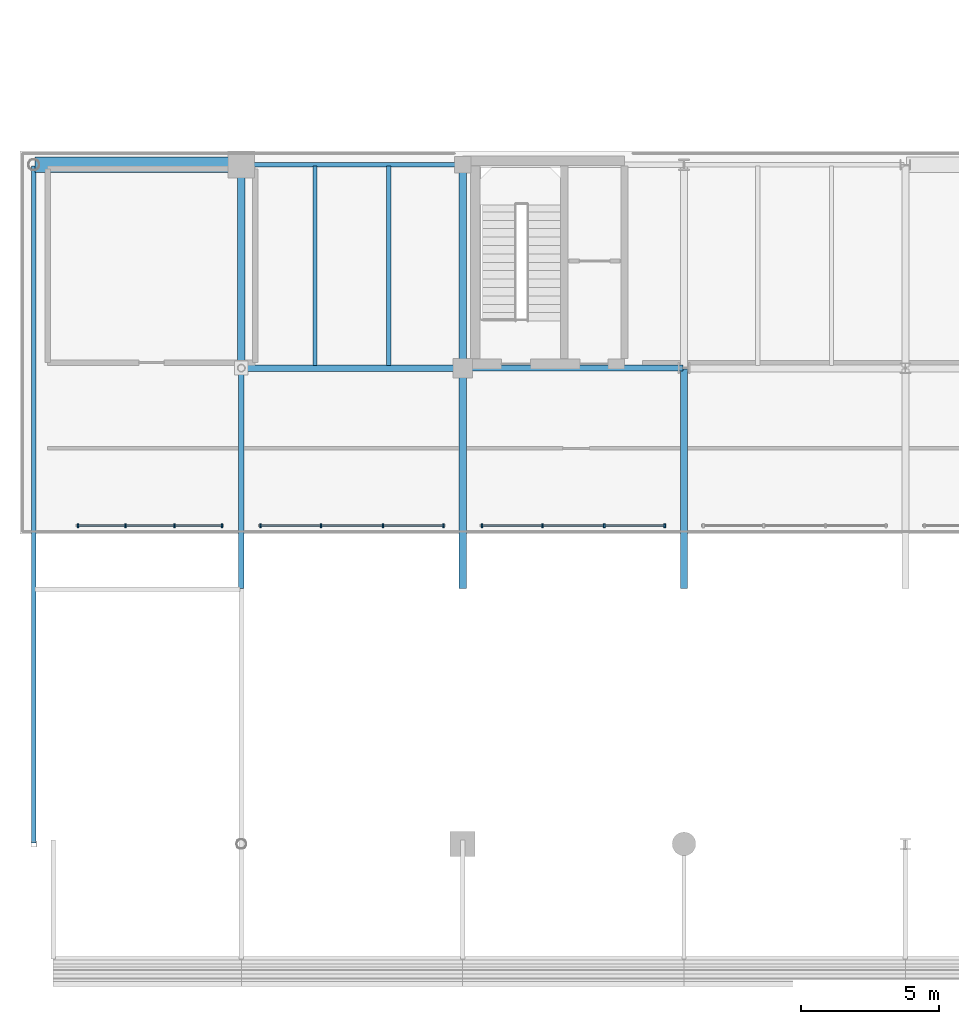
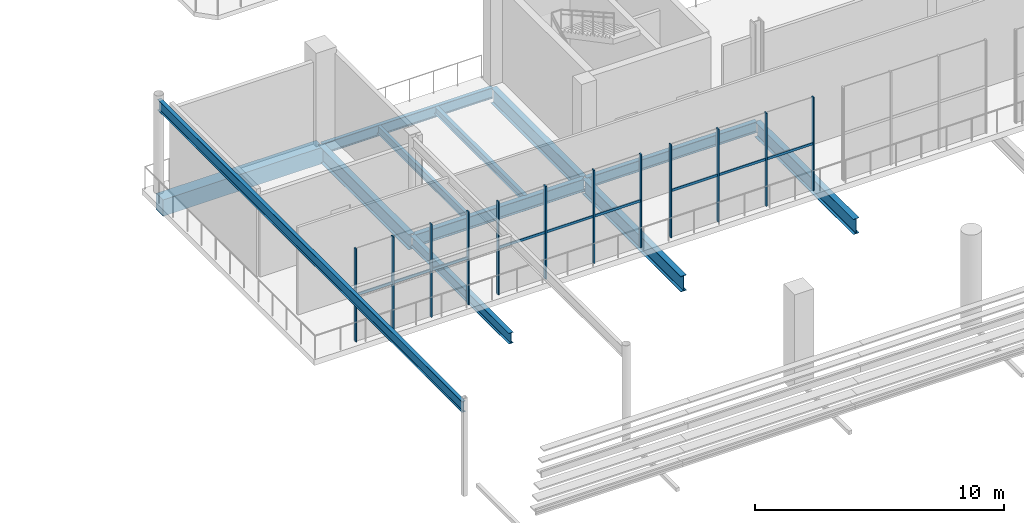
# One storey, part 21 of 70: 21 members, 12 beams, 3 elements without a shape of their own.
"""IFC4 building model written with IfcOpenShell, lengths in metres."""

from ifc_helpers import new_model, si_unit, direction, frame, origin, origin_2d, place, context, subcontext, project, spatial, rectangle, i_section, extrude, material, material_profile, profile_set, type_object, element, aggregate, save


model = new_model("IFC4")

# Units and contexts
model_context = context("Model", 3, precision=1e-05, world=origin(), true_north=direction((0.0, 1.0)))
body_context = subcontext(model_context, "Body", "Model", "MODEL_VIEW")
ifc_project = project(units=[si_unit("LENGTHUNIT", "METRE"), si_unit("AREAUNIT", "SQUARE_METRE"), si_unit("VOLUMEUNIT", "CUBIC_METRE"), si_unit("PLANEANGLEUNIT", "RADIAN"), si_unit("MASSUNIT", "GRAM", prefix="KILO")], contexts=[model_context])

# Site, building, storey
site_placement = place(None, origin())
site = spatial("IfcSite", under=ifc_project, at=site_placement, CompositionType="ELEMENT")
building_placement = place(site_placement, origin())
building = spatial("IfcBuilding", under=site, at=building_placement, Name="Brisemont Oceanarium", CompositionType="ELEMENT")
storey_placement = place(building_placement, frame((0.0, 0.0, 10.199951171875)))
storey = spatial("IfcBuildingStorey", under=building, at=storey_placement, Name="L02", CompositionType="ELEMENT", Elevation=10.199951171875)

# Beams
ifc_material_1 = material(Name="Concrete C40/50", Category="concrete")
ifc_material_profile_1 = material_profile(ifc_material_1, rectangle(XDim=0.550048828125, YDim=0.800048828125, at=origin_2d()), Name="RC-BM-550X800")
ifc_profile_set_1 = profile_set([ifc_material_profile_1], Name="Concrete C40/50")
beam_type_1 = type_object("IfcBeamType", Name="BM-RC550X800", PredefinedType="SPANDREL", material=ifc_profile_set_1)
beam_1_placement = place(storey_placement, frame((8.5400390625, 31.35009765625, -0.679931640625), z_axis=(1.0, 0.0, 0.0), x_axis=(0.0, 1.0, 0.0)))
element("IfcBeam", 1, at=beam_1_placement, inside=storey, type_object=beam_type_1, Name="V2 L02 EW girder", PredefinedType="SPANDREL", context=body_context, shape_type="SweptSolid", body=[
    extrude(rectangle(XDim=0.550048828125, YDim=0.800048828125, at=origin_2d()), origin(), (0.0, 0.0, 1.0), 7.419921875),
])
ifc_material_2 = material(Name="Structural Steel ASTM A992 Gr.50", Category="steel")
ifc_material_profile_2 = material_profile(ifc_material_2, i_section(OverallWidth=0.1708984375, OverallDepth=0.35107421875, WebThickness=0.0068359375, FlangeThickness=0.009765625, FilletRadius=0.010009765625, at=origin_2d()), Name="W14X30")
ifc_profile_set_2 = profile_set([ifc_material_profile_2], Name="Structural Steel ASTM A992 Gr.50")
beam_type_2 = type_object("IfcBeamType", Name="BM-W14X30", PredefinedType="JOIST", material=ifc_profile_set_2)
beam_2_placement = place(storey_placement, frame((21.333251953125, 24.090087890625, -0.45556640625), z_axis=(0.0, 1.0, 0.0), x_axis=(-1.0, 0.0, 0.0)))
element("IfcBeam", 2, at=beam_2_placement, inside=storey, type_object=beam_type_2, Name="V2 L02 secondary floor beam", PredefinedType="JOIST", context=body_context, shape_type="SweptSolid", body=[
    extrude(i_section(OverallWidth=0.1708984375, OverallDepth=0.35107421875, WebThickness=0.0068359375, FlangeThickness=0.009765625, FilletRadius=0.010009765625, at=origin_2d()), origin(), (0.0, 0.0, 1.0), 7.219970703125),
])
ifc_material_3 = material(Name="Structural Steel ASTM A992 Gr.50", Category="steel")
ifc_material_profile_3 = material_profile(ifc_material_3, i_section(OverallWidth=0.139892578125, OverallDepth=0.39892578125, WebThickness=0.00634765625, FlangeThickness=0.0087890625, FilletRadius=0.010009765625, at=origin_2d()), Name="W16X26")
ifc_profile_set_3 = profile_set([ifc_material_profile_3], Name="Structural Steel ASTM A992 Gr.50")
beam_type_3 = type_object("IfcBeamType", Name="BM-W16X26", PredefinedType="JOIST", material=ifc_profile_set_3)
beam_3_placement = place(storey_placement, frame((18.666748046875, 24.090087890625, -0.4794921875), z_axis=(0.0, 1.0, 0.0), x_axis=(-1.0, 0.0, 0.0)))
element("IfcBeam", 3, at=beam_3_placement, inside=storey, type_object=beam_type_3, Name="V2 L02 secondary floor beam", PredefinedType="JOIST", context=body_context, shape_type="SweptSolid", body=[
    extrude(i_section(OverallWidth=0.139892578125, OverallDepth=0.39892578125, WebThickness=0.00634765625, FlangeThickness=0.0087890625, FilletRadius=0.010009765625, at=origin_2d()), origin(), (0.0, 0.0, 1.0), 7.219970703125),
])
ifc_material_4 = material(Name="Structural Steel ASTM A992 Gr.50", Category="steel")
ifc_material_profile_4 = material_profile(ifc_material_4, i_section(OverallWidth=0.166015625, OverallDepth=0.528076171875, WebThickness=0.009765625, FlangeThickness=0.013671875, FilletRadius=0.012939453125, at=origin_2d()), Name="W21X50")
ifc_profile_set_4 = profile_set([ifc_material_profile_4], Name="Structural Steel ASTM A992 Gr.50")
beam_type_4 = type_object("IfcBeamType", Name="BM-W21X50", PredefinedType="SPANDREL", material=ifc_profile_set_4)
beam_4_placement = place(storey_placement, frame((16.0400390625, 31.35009765625, -0.5439453125), z_axis=(1.0, 0.0, 0.0), x_axis=(0.0, 1.0, 0.0)))
element("IfcBeam", 4, at=beam_4_placement, inside=storey, type_object=beam_type_4, Name="V2 L02 EW girder", PredefinedType="SPANDREL", context=body_context, shape_type="SweptSolid", body=[
    extrude(i_section(OverallWidth=0.166015625, OverallDepth=0.528076171875, WebThickness=0.009765625, FlangeThickness=0.013671875, FilletRadius=0.012939453125, at=origin_2d()), origin(), (0.0, 0.0, 1.0), 7.919921875),
])
beam_5_placement = place(storey_placement, frame((8.5, 6.840087890625, 4.296142578125), z_axis=(0.0, 1.0, 0.0), x_axis=(-1.0, 0.0, 0.0)))
element("IfcBeam", 5, at=beam_5_placement, inside=storey, type_object=beam_type_4, Name="Skylight roof support girder 1", PredefinedType="SPANDREL", context=body_context, shape_type="SweptSolid", body=[
    extrude(i_section(OverallWidth=0.166015625, OverallDepth=0.528076171875, WebThickness=0.009765625, FlangeThickness=0.013671875, FilletRadius=0.012939453125, at=origin_2d()), origin(), (0.0, 0.0, 1.0), 24.469970703125),
])
ifc_material_5 = material(Name="Structural Steel ASTM A992 Gr.50", Category="steel")
ifc_material_profile_5 = material_profile(ifc_material_5, i_section(OverallWidth=0.2099609375, OverallDepth=0.532958984375, WebThickness=0.01025390625, FlangeThickness=0.015625, FilletRadius=0.012939453125, at=origin_2d()), Name="W21X62")
ifc_profile_set_5 = profile_set([ifc_material_profile_5], Name="Structural Steel ASTM A992 Gr.50")
beam_type_5 = type_object("IfcBeamType", Name="BM-W21X62", PredefinedType="BEAM", material=ifc_profile_set_5)
for number, where, z_axis, x_axis, name in (
    (6, (24.0400390625, 24.0, -0.54638671875), (1.0, 0.0, 0.0), (0.0, 1.0, 0.0), "V2 L02 EW girder"),
    (7, (16.0, 16.0400390625, -0.54638671875), (0.0, 1.0, 0.0), (-1.0, 0.0, 0.0), "V2 L02 NS girder"),
):
    element("IfcBeam", number, at=place(storey_placement, frame(where, z_axis=z_axis, x_axis=x_axis)), inside=storey, type_object=beam_type_5, Name=name, PredefinedType="BEAM", context=body_context, shape_type="SweptSolid", body=[
        extrude(i_section(OverallWidth=0.2099609375, OverallDepth=0.532958984375, WebThickness=0.01025390625, FlangeThickness=0.015625, FilletRadius=0.012939453125, at=origin_2d()), origin(), (0.0, 0.0, 1.0), 7.919921875),
    ])
ifc_material_6 = material(Name="Structural Steel ASTM A992 Gr.50", Category="steel")
ifc_material_profile_6 = material_profile(ifc_material_6, i_section(OverallWidth=0.22802734375, OverallDepth=0.60205078125, WebThickness=0.010498046875, FlangeThickness=0.014892578125, FilletRadius=0.012939453125, at=origin_2d()), Name="W24X68")
ifc_profile_set_6 = profile_set([ifc_material_profile_6], Name="Structural Steel ASTM A992 Gr.50")
beam_type_6 = type_object("IfcBeamType", Name="BM-W24X68", PredefinedType="BEAM", material=ifc_profile_set_6)
beam_6_placement = place(storey_placement, frame((16.0400390625, 24.0, -0.5810546875), z_axis=(1.0, 0.0, 0.0), x_axis=(0.0, 1.0, 0.0)))
element("IfcBeam", 8, at=beam_6_placement, inside=storey, type_object=beam_type_6, Name="V2 L02 EW girder", PredefinedType="BEAM", context=body_context, shape_type="SweptSolid", body=[
    extrude(i_section(OverallWidth=0.22802734375, OverallDepth=0.60205078125, WebThickness=0.010498046875, FlangeThickness=0.014892578125, FilletRadius=0.012939453125, at=origin_2d()), origin(), (0.0, 0.0, 1.0), 7.919921875),
])
ifc_material_7 = material(Name="Structural Steel ASTM A992 Gr.50", Category="steel")
ifc_material_profile_7 = material_profile(ifc_material_7, i_section(OverallWidth=0.26708984375, OverallDepth=0.761962890625, WebThickness=0.014404296875, FlangeThickness=0.021484375, FilletRadius=0.01611328125, at=origin_2d()), Name="W30X116")
ifc_profile_set_7 = profile_set([ifc_material_profile_7], Name="Structural Steel ASTM A992 Gr.50")
beam_type_7 = type_object("IfcBeamType", Name="BM-W30X116", PredefinedType="BEAM", material=ifc_profile_set_7)
beam_7_placement = place(storey_placement, frame((16.0, 24.0400390625, -0.660888671875), z_axis=(0.0, 1.0, 0.0), x_axis=(-1.0, 0.0, 0.0)))
element("IfcBeam", 9, at=beam_7_placement, inside=storey, type_object=beam_type_7, Name="V2 L02 NS girder", PredefinedType="BEAM", context=body_context, shape_type="SweptSolid", body=[
    extrude(i_section(OverallWidth=0.26708984375, OverallDepth=0.761962890625, WebThickness=0.014404296875, FlangeThickness=0.021484375, FilletRadius=0.01611328125, at=origin_2d()), origin(), (0.0, 0.0, 1.0), 7.27001953125),
])
beam_8_placement = place(storey_placement, frame((24.0, 16.0400390625, -0.660888671875), z_axis=(0.0, 1.0, 0.0), x_axis=(-1.0, 0.0, 0.0)))
element("IfcBeam", 10, at=beam_8_placement, inside=storey, type_object=beam_type_7, Name="V2 L02 NS girder", PredefinedType="BEAM", context=body_context, shape_type="SweptSolid", body=[
    extrude(i_section(OverallWidth=0.26708984375, OverallDepth=0.761962890625, WebThickness=0.014404296875, FlangeThickness=0.021484375, FilletRadius=0.01611328125, at=origin_2d()), origin(), (0.0, 0.0, 1.0), 7.919921875),
])
ifc_material_8 = material(Name="Structural Steel ASTM A992 Gr.50", Category="steel")
ifc_material_profile_8 = material_profile(ifc_material_8, i_section(OverallWidth=0.264892578125, OverallDepth=0.7529296875, WebThickness=0.01318359375, FlangeThickness=0.01708984375, FilletRadius=0.01611328125, at=origin_2d()), Name="W30X99")
ifc_profile_set_8 = profile_set([ifc_material_profile_8], Name="Structural Steel ASTM A992 Gr.50")
beam_type_8 = type_object("IfcBeamType", Name="BM-W30X99", PredefinedType="BEAM", material=ifc_profile_set_8)
beam_9_placement = place(storey_placement, frame((24.0, 24.0400390625, -0.656494140625), z_axis=(0.0, 1.0, 0.0), x_axis=(-1.0, 0.0, 0.0)))
element("IfcBeam", 11, at=beam_9_placement, inside=storey, type_object=beam_type_8, Name="V2 L02 NS girder", PredefinedType="BEAM", context=body_context, shape_type="SweptSolid", body=[
    extrude(i_section(OverallWidth=0.264892578125, OverallDepth=0.7529296875, WebThickness=0.01318359375, FlangeThickness=0.01708984375, FilletRadius=0.01611328125, at=origin_2d()), origin(), (0.0, 0.0, 1.0), 7.27001953125),
])
beam_10_placement = place(storey_placement, frame((32.0, 16.0400390625, -0.656494140625), z_axis=(0.0, 1.0, 0.0), x_axis=(-1.0, 0.0, 0.0)))
element("IfcBeam", 12, at=beam_10_placement, inside=storey, type_object=beam_type_8, Name="V2 L02 NS girder", PredefinedType="BEAM", context=body_context, shape_type="SweptSolid", body=[
    extrude(i_section(OverallWidth=0.264892578125, OverallDepth=0.7529296875, WebThickness=0.01318359375, FlangeThickness=0.01708984375, FilletRadius=0.01611328125, at=origin_2d()), origin(), (0.0, 0.0, 1.0), 7.919921875),
])

# Curtain wall, members
ifc_material_9 = material(Name="Anodized Extruded Aluminum 6063-T6", Category="aluminium")
curtain_wall_type = type_object("IfcCurtainWallType", Name="CW-CLR-48X34", PredefinedType="NOTDEFINED", material=ifc_material_9)
curtain_wall_1_placement = place(storey_placement, origin())
curtain_wall_1 = element("IfcCurtainWall", 13, at=curtain_wall_1_placement, inside=storey, type_object=curtain_wall_type, Name="CW-22 curtain wall CW-V2-S-L02-01", PredefinedType="NOTDEFINED")
ifc_material_10 = material(Name="Anodized Extruded Aluminum 6063-T6", Category="aluminium")
ifc_material_profile_9 = material_profile(ifc_material_10, rectangle(XDim=0.06005859375, YDim=0.14990234375, at=origin_2d()), Name="CWM-60X150")
ifc_profile_set_9 = profile_set([ifc_material_profile_9], Name="Anodized Extruded Aluminum 6063-T6")
member_type_1 = type_object("IfcMemberType", Name="MEM-CWM-60", PredefinedType="MULLION", material=ifc_profile_set_9)
member_1_placement = place(storey_placement, frame((10.094970703125, 18.300048828125, 0.0), z_axis=(0.0, 0.0, 1.0), x_axis=(1.0, 0.0, 0.0)))
member_1 = element("IfcMember", 14, at=member_1_placement, type_object=member_type_1, Name="CW-V2-S-L02-01 mullion 1", PredefinedType="MULLION", context=body_context, shape_type="SweptSolid", body=[
    extrude(rectangle(XDim=0.06005859375, YDim=0.14990234375, at=origin_2d()), origin(), (0.0, 0.0, 1.0), 4.56005859375),
])
member_2_placement = place(storey_placement, frame((11.816650390625, 18.300048828125, 0.0), z_axis=(0.0, 0.0, 1.0), x_axis=(1.0, 0.0, 0.0)))
member_2 = element("IfcMember", 15, at=member_2_placement, type_object=member_type_1, Name="CW-V2-S-L02-01 mullion 2", PredefinedType="MULLION", context=body_context, shape_type="SweptSolid", body=[
    extrude(rectangle(XDim=0.06005859375, YDim=0.14990234375, at=origin_2d()), origin(), (0.0, 0.0, 1.0), 4.56005859375),
])
member_3_placement = place(storey_placement, frame((13.583251953125, 18.300048828125, 0.0), z_axis=(0.0, 0.0, 1.0), x_axis=(1.0, 0.0, 0.0)))
member_3 = element("IfcMember", 16, at=member_3_placement, type_object=member_type_1, Name="CW-V2-S-L02-01 mullion 3", PredefinedType="MULLION", context=body_context, shape_type="SweptSolid", body=[
    extrude(rectangle(XDim=0.06005859375, YDim=0.14990234375, at=origin_2d()), origin(), (0.0, 0.0, 1.0), 4.56005859375),
])
member_4_placement = place(storey_placement, frame((15.304931640625, 18.300048828125, 0.0), z_axis=(0.0, 0.0, 1.0), x_axis=(1.0, 0.0, 0.0)))
member_4 = element("IfcMember", 17, at=member_4_placement, type_object=member_type_1, Name="CW-V2-S-L02-01 mullion 4", PredefinedType="MULLION", context=body_context, shape_type="SweptSolid", body=[
    extrude(rectangle(XDim=0.06005859375, YDim=0.14990234375, at=origin_2d()), origin(), (0.0, 0.0, 1.0), 4.56005859375),
])

curtain_wall_2_placement = place(storey_placement, origin())
curtain_wall_2 = element("IfcCurtainWall", 18, at=curtain_wall_2_placement, inside=storey, type_object=curtain_wall_type, Name="CW-22 curtain wall CW-V2-S-L02-02", PredefinedType="NOTDEFINED")
member_5_placement = place(storey_placement, frame((16.695068359375, 18.300048828125, 0.0), z_axis=(0.0, 0.0, 1.0), x_axis=(1.0, 0.0, 0.0)))
member_5 = element("IfcMember", 19, at=member_5_placement, type_object=member_type_1, Name="CW-V2-S-L02-02 mullion 1", PredefinedType="MULLION", context=body_context, shape_type="SweptSolid", body=[
    extrude(rectangle(XDim=0.06005859375, YDim=0.14990234375, at=origin_2d()), origin(), (0.0, 0.0, 1.0), 4.56005859375),
])
member_6_placement = place(storey_placement, frame((18.88330078125, 18.300048828125, 0.0), z_axis=(0.0, 0.0, 1.0), x_axis=(1.0, 0.0, 0.0)))
member_6 = element("IfcMember", 20, at=member_6_placement, type_object=member_type_1, Name="CW-V2-S-L02-02 mullion 2", PredefinedType="MULLION", context=body_context, shape_type="SweptSolid", body=[
    extrude(rectangle(XDim=0.06005859375, YDim=0.14990234375, at=origin_2d()), origin(), (0.0, 0.0, 1.0), 4.56005859375),
])
member_7_placement = place(storey_placement, frame((21.11669921875, 18.300048828125, 0.0), z_axis=(0.0, 0.0, 1.0), x_axis=(1.0, 0.0, 0.0)))
member_7 = element("IfcMember", 21, at=member_7_placement, type_object=member_type_1, Name="CW-V2-S-L02-02 mullion 3", PredefinedType="MULLION", context=body_context, shape_type="SweptSolid", body=[
    extrude(rectangle(XDim=0.06005859375, YDim=0.14990234375, at=origin_2d()), origin(), (0.0, 0.0, 1.0), 4.56005859375),
])
member_8_placement = place(storey_placement, frame((23.304931640625, 18.300048828125, 0.0), z_axis=(0.0, 0.0, 1.0), x_axis=(1.0, 0.0, 0.0)))
member_8 = element("IfcMember", 22, at=member_8_placement, type_object=member_type_1, Name="CW-V2-S-L02-02 mullion 4", PredefinedType="MULLION", context=body_context, shape_type="SweptSolid", body=[
    extrude(rectangle(XDim=0.06005859375, YDim=0.14990234375, at=origin_2d()), origin(), (0.0, 0.0, 1.0), 4.56005859375),
])

curtain_wall_3_placement = place(storey_placement, origin())
curtain_wall_3 = element("IfcCurtainWall", 23, at=curtain_wall_3_placement, inside=storey, type_object=curtain_wall_type, Name="CW-22 curtain wall CW-V2-S-L02-03", PredefinedType="NOTDEFINED")
member_9_placement = place(storey_placement, frame((24.695068359375, 18.300048828125, 0.0), z_axis=(0.0, 0.0, 1.0), x_axis=(1.0, 0.0, 0.0)))
member_9 = element("IfcMember", 24, at=member_9_placement, type_object=member_type_1, Name="CW-V2-S-L02-03 mullion 1", PredefinedType="MULLION", context=body_context, shape_type="SweptSolid", body=[
    extrude(rectangle(XDim=0.06005859375, YDim=0.14990234375, at=origin_2d()), origin(), (0.0, 0.0, 1.0), 4.56005859375),
])
member_10_placement = place(storey_placement, frame((26.88330078125, 18.300048828125, 0.0), z_axis=(0.0, 0.0, 1.0), x_axis=(1.0, 0.0, 0.0)))
member_10 = element("IfcMember", 25, at=member_10_placement, type_object=member_type_1, Name="CW-V2-S-L02-03 mullion 2", PredefinedType="MULLION", context=body_context, shape_type="SweptSolid", body=[
    extrude(rectangle(XDim=0.06005859375, YDim=0.14990234375, at=origin_2d()), origin(), (0.0, 0.0, 1.0), 4.56005859375),
])
member_11_placement = place(storey_placement, frame((29.11669921875, 18.300048828125, 0.0), z_axis=(0.0, 0.0, 1.0), x_axis=(1.0, 0.0, 0.0)))
member_11 = element("IfcMember", 26, at=member_11_placement, type_object=member_type_1, Name="CW-V2-S-L02-03 mullion 3", PredefinedType="MULLION", context=body_context, shape_type="SweptSolid", body=[
    extrude(rectangle(XDim=0.06005859375, YDim=0.14990234375, at=origin_2d()), origin(), (0.0, 0.0, 1.0), 4.56005859375),
])
member_12_placement = place(storey_placement, frame((31.304931640625, 18.300048828125, 0.0), z_axis=(0.0, 0.0, 1.0), x_axis=(1.0, 0.0, 0.0)))
member_12 = element("IfcMember", 27, at=member_12_placement, type_object=member_type_1, Name="CW-V2-S-L02-03 mullion 4", PredefinedType="MULLION", context=body_context, shape_type="SweptSolid", body=[
    extrude(rectangle(XDim=0.06005859375, YDim=0.14990234375, at=origin_2d()), origin(), (0.0, 0.0, 1.0), 4.56005859375),
])

# Member
ifc_material_11 = material(Name="Anodized Extruded Aluminum 6063-T6", Category="aluminium")
ifc_material_profile_10 = material_profile(ifc_material_11, rectangle(XDim=0.06005859375, YDim=0.1201171875, at=origin_2d()), Name="CWT-60X120")
ifc_profile_set_10 = profile_set([ifc_material_profile_10], Name="Anodized Extruded Aluminum 6063-T6")
member_type_2 = type_object("IfcMemberType", Name="MEM-CWT-60", PredefinedType="USERDEFINED", material=ifc_profile_set_10)
member_13_placement = place(storey_placement, frame((10.06494140625, 18.300048828125, 2.280029296875), z_axis=(1.0, 0.0, 0.0), x_axis=(0.0, 1.0, 0.0)))
member_13 = element("IfcMember", 28, at=member_13_placement, type_object=member_type_2, Name="CW-V2-S-L02-01 transom 1.1", ObjectType="TRANSOM", PredefinedType="USERDEFINED", context=body_context, shape_type="SweptSolid", body=[
    extrude(rectangle(XDim=0.06005859375, YDim=0.1201171875, at=origin_2d()), origin(), (0.0, 0.0, 1.0), 1.73681640625),
])

member_14_placement = place(storey_placement, frame((11.831787109375, 18.300048828125, 2.280029296875), z_axis=(1.0, 0.0, 0.0), x_axis=(0.0, 1.0, 0.0)))
member_14 = element("IfcMember", 29, at=member_14_placement, type_object=member_type_2, Name="CW-V2-S-L02-01 transom 2.1", ObjectType="TRANSOM", PredefinedType="USERDEFINED", context=body_context, shape_type="SweptSolid", body=[
    extrude(rectangle(XDim=0.06005859375, YDim=0.1201171875, at=origin_2d()), origin(), (0.0, 0.0, 1.0), 1.736572265625),
])

member_15_placement = place(storey_placement, frame((13.598388671875, 18.300048828125, 2.280029296875), z_axis=(1.0, 0.0, 0.0), x_axis=(0.0, 1.0, 0.0)))
member_15 = element("IfcMember", 30, at=member_15_placement, type_object=member_type_2, Name="CW-V2-S-L02-01 transom 3.1", ObjectType="TRANSOM", PredefinedType="USERDEFINED", context=body_context, shape_type="SweptSolid", body=[
    extrude(rectangle(XDim=0.06005859375, YDim=0.1201171875, at=origin_2d()), origin(), (0.0, 0.0, 1.0), 1.736572265625),
])

aggregate(curtain_wall_1, [member_1, member_2, member_3, member_4, member_13, member_14, member_15])

member_16_placement = place(storey_placement, frame((16.6650390625, 18.300048828125, 2.280029296875), z_axis=(1.0, 0.0, 0.0), x_axis=(0.0, 1.0, 0.0)))
member_16 = element("IfcMember", 31, at=member_16_placement, type_object=member_type_2, Name="CW-V2-S-L02-02 transom 1.1", ObjectType="TRANSOM", PredefinedType="USERDEFINED", context=body_context, shape_type="SweptSolid", body=[
    extrude(rectangle(XDim=0.06005859375, YDim=0.1201171875, at=origin_2d()), origin(), (0.0, 0.0, 1.0), 2.203369140625),
])

member_17_placement = place(storey_placement, frame((18.898193359375, 18.300048828125, 2.280029296875), z_axis=(1.0, 0.0, 0.0), x_axis=(0.0, 1.0, 0.0)))
member_17 = element("IfcMember", 32, at=member_17_placement, type_object=member_type_2, Name="CW-V2-S-L02-02 transom 2.1", ObjectType="TRANSOM", PredefinedType="USERDEFINED", context=body_context, shape_type="SweptSolid", body=[
    extrude(rectangle(XDim=0.06005859375, YDim=0.1201171875, at=origin_2d()), origin(), (0.0, 0.0, 1.0), 2.20361328125),
])

member_18_placement = place(storey_placement, frame((21.131591796875, 18.300048828125, 2.280029296875), z_axis=(1.0, 0.0, 0.0), x_axis=(0.0, 1.0, 0.0)))
member_18 = element("IfcMember", 33, at=member_18_placement, type_object=member_type_2, Name="CW-V2-S-L02-02 transom 3.1", ObjectType="TRANSOM", PredefinedType="USERDEFINED", context=body_context, shape_type="SweptSolid", body=[
    extrude(rectangle(XDim=0.06005859375, YDim=0.1201171875, at=origin_2d()), origin(), (0.0, 0.0, 1.0), 2.203369140625),
])

aggregate(curtain_wall_2, [member_5, member_6, member_7, member_8, member_16, member_17, member_18])

member_19_placement = place(storey_placement, frame((24.6650390625, 18.300048828125, 2.280029296875), z_axis=(1.0, 0.0, 0.0), x_axis=(0.0, 1.0, 0.0)))
member_19 = element("IfcMember", 34, at=member_19_placement, type_object=member_type_2, Name="CW-V2-S-L02-03 transom 1.1", ObjectType="TRANSOM", PredefinedType="USERDEFINED", context=body_context, shape_type="SweptSolid", body=[
    extrude(rectangle(XDim=0.06005859375, YDim=0.1201171875, at=origin_2d()), origin(), (0.0, 0.0, 1.0), 2.203369140625),
])

member_20_placement = place(storey_placement, frame((26.898193359375, 18.300048828125, 2.280029296875), z_axis=(1.0, 0.0, 0.0), x_axis=(0.0, 1.0, 0.0)))
member_20 = element("IfcMember", 35, at=member_20_placement, type_object=member_type_2, Name="CW-V2-S-L02-03 transom 2.1", ObjectType="TRANSOM", PredefinedType="USERDEFINED", context=body_context, shape_type="SweptSolid", body=[
    extrude(rectangle(XDim=0.06005859375, YDim=0.1201171875, at=origin_2d()), origin(), (0.0, 0.0, 1.0), 2.20361328125),
])

member_21_placement = place(storey_placement, frame((29.131591796875, 18.300048828125, 2.280029296875), z_axis=(1.0, 0.0, 0.0), x_axis=(0.0, 1.0, 0.0)))
member_21 = element("IfcMember", 36, at=member_21_placement, type_object=member_type_2, Name="CW-V2-S-L02-03 transom 3.1", ObjectType="TRANSOM", PredefinedType="USERDEFINED", context=body_context, shape_type="SweptSolid", body=[
    extrude(rectangle(XDim=0.06005859375, YDim=0.1201171875, at=origin_2d()), origin(), (0.0, 0.0, 1.0), 2.203369140625),
])

aggregate(curtain_wall_3, [member_9, member_10, member_11, member_12, member_19, member_20, member_21])

save(model, "model.ifc")
